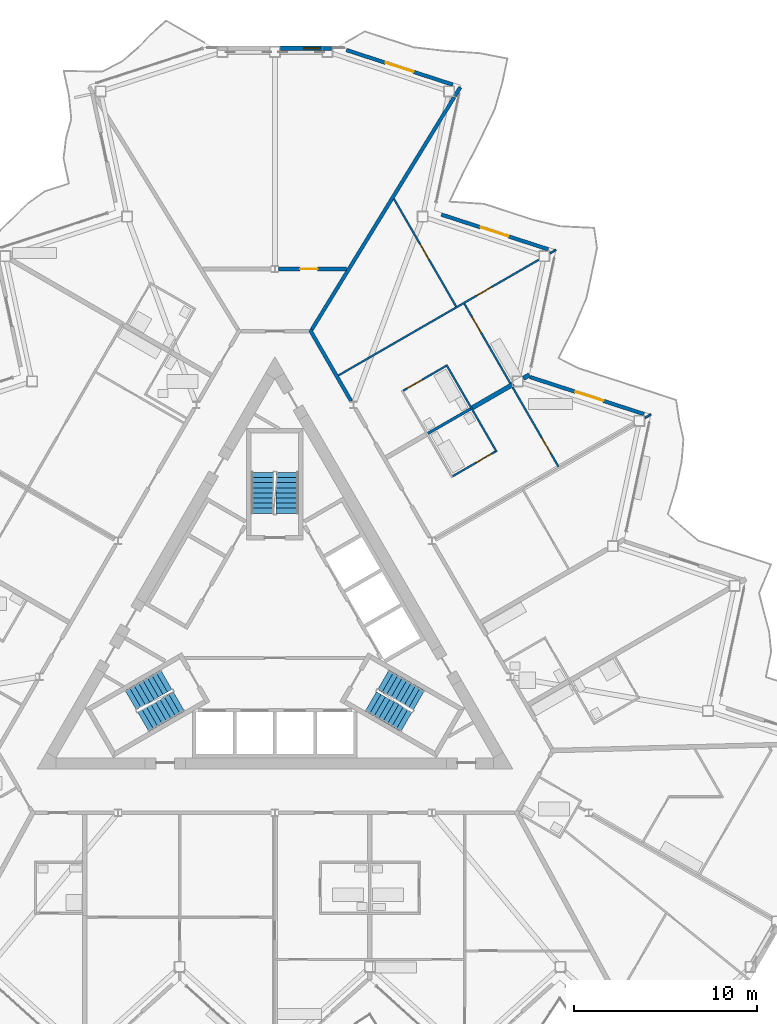
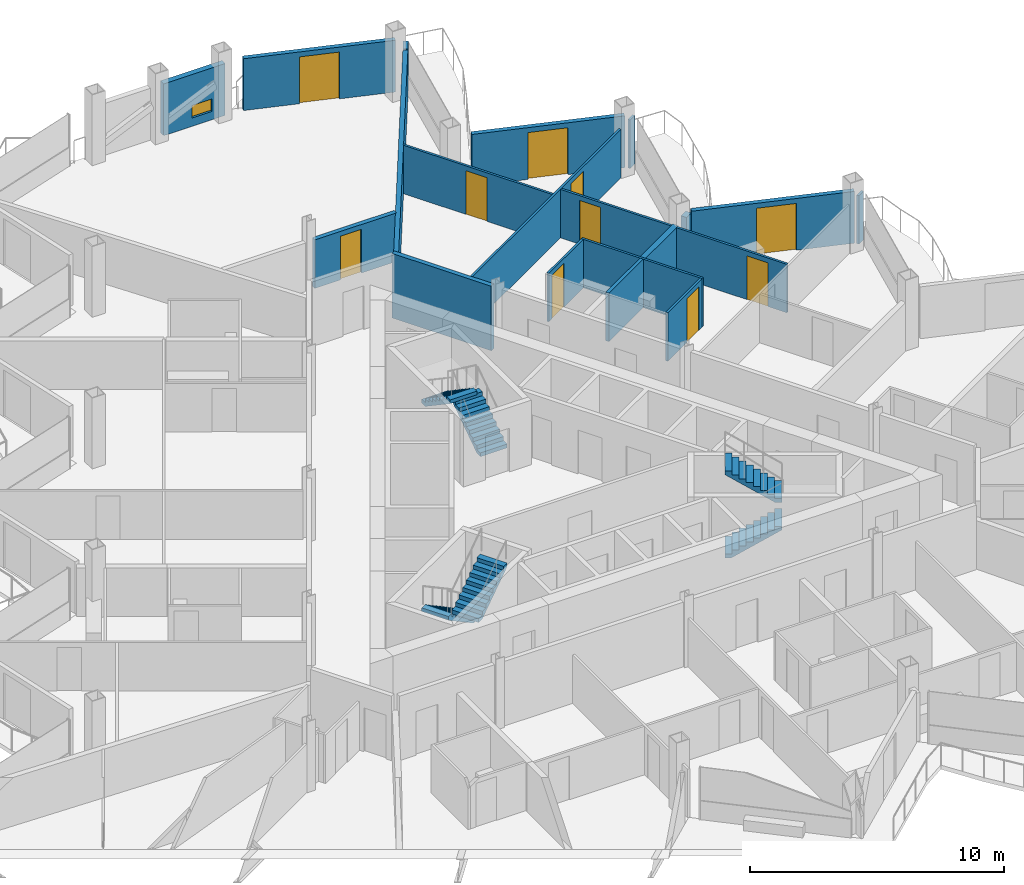
# One storey, part 19 of 28: 20 walls, 10 doors, 6 stair flights, 1 window, 11 openings, 3 elements without a shape of their own.
"""IFC4 building model written with IfcOpenShell, lengths in metres."""

from ifc_helpers import new_model, si_unit, direction, frame, frame_2d, origin, place, context, subcontext, project, spatial, polyline, rectangle, outline, extrude, material, layer, layer_set, type_object, element, fill, aggregate, save


model = new_model("IFC4")

# Units and contexts
model_context = context("Model", 3, precision=1e-05, world=origin(), true_north=direction((0.0, 1.0)))
body_context = subcontext(model_context, "Body", "Model", "MODEL_VIEW")
ifc_project = project(units=[si_unit("LENGTHUNIT", "METRE"), si_unit("AREAUNIT", "SQUARE_METRE"), si_unit("VOLUMEUNIT", "CUBIC_METRE"), si_unit("PLANEANGLEUNIT", "RADIAN"), si_unit("MASSUNIT", "GRAM", prefix="KILO")], contexts=[model_context])

# Site, building, storey
site_placement = place(None, origin())
site = spatial("IfcSite", under=ifc_project, at=site_placement, CompositionType="ELEMENT")
building_placement = place(site_placement, origin())
building = spatial("IfcBuilding", under=site, at=building_placement, Name="Cormorant Prow Tower", CompositionType="ELEMENT")
storey_placement = place(building_placement, frame((0.0, 0.0, 308.60009765625)))
storey = spatial("IfcBuildingStorey", under=building, at=storey_placement, Name="L67", CompositionType="ELEMENT", Elevation=308.60009765625)

# Walls
ifc_material_1 = material(Name="Gypsum board corridor wall")
ifc_layer_1 = layer(ifc_material_1, 0.199951171875)
ifc_layer_set_1 = layer_set([ifc_layer_1], Name="Gypsum board corridor wall")
wall_type_1 = type_object("IfcWallType", Name="Corridor wall 200", PredefinedType="PARTITIONING", material=ifc_layer_set_1)
wall_1_placement = place(storey_placement, frame((1.9130859375, 16.497802734375, 0.0), z_axis=(0.0, 0.0, 1.0), x_axis=(0.499950370306, -0.866054055606, 0.0)))
element("IfcWall", 1, at=wall_1_placement, inside=storey, type_object=wall_type_1, Name="Corridor wall", PredefinedType="PARTITIONING", context=body_context, shape_type="SweptSolid", body=[
    extrude(rectangle(XDim=4.5126953125, YDim=0.199951171875, at=frame_2d((2.25634765625, 0.0))), origin(), (0.0, 0.0, 1.0), 3.099853515625),
])
ifc_material_2 = material(Name="Gypsum board demising wall")
ifc_layer_2 = layer(ifc_material_2, 0.199951171875)
ifc_layer_set_2 = layer_set([ifc_layer_2], Name="Gypsum board demising wall")
wall_type_2 = type_object("IfcWallType", Name="Demising wall 200", PredefinedType="PARTITIONING", material=ifc_layer_set_2)
wall_2_placement = place(storey_placement, frame((2.015380859375, 16.496337890625, 0.0), z_axis=(0.0, 0.0, 1.0), x_axis=(0.522487920222, 0.852646687217, 0.0)))
element("IfcWall", 2, at=wall_2_placement, inside=storey, type_object=wall_type_2, Name="Demising wall", PredefinedType="PARTITIONING", context=body_context, shape_type="SweptSolid", body=[
    extrude(rectangle(XDim=14.90380859375, YDim=0.199951171875, at=frame_2d((7.451904296875, 0.0))), origin(), (0.0, 0.0, 1.0), 2.330078125),
])

# Wall, opening, door
wall_3_placement = place(storey_placement, frame((0.207763671875, 19.81103515625, 0.0), z_axis=(0.0, 0.0, 1.0), x_axis=(1.0, 0.0, 0.0)))
wall_3 = element("IfcWall", 3, at=wall_3_placement, inside=storey, type_object=wall_type_2, Name="Demising wall", PredefinedType="PARTITIONING", context=body_context, shape_type="SweptSolid", body=[
    extrude(rectangle(XDim=3.71826171875, YDim=0.199951171875, at=frame_2d((1.859130859375, 0.0))), origin(), (0.0, 0.0, 1.0), 2.330078125),
])
opening_1_placement = place(wall_3_placement, frame((1.177978515625, 0.0, 0.0)))
opening_1 = element("IfcOpeningElement", 4, at=opening_1_placement, cuts=wall_3, Name="Opening L67-F37", PredefinedType="OPENING", context=body_context, shape_type="SweptSolid", body=[
    extrude(rectangle(XDim=0.949951171875, YDim=2.10009765625, at=frame_2d((0.47509765625, 1.050048828125))), frame((0.0, 0.10986328125, 0.0), z_axis=(0.0, -1.0, 0.0), x_axis=(1.0, 0.0, 0.0)), (0.0, 0.0, 1.0), 0.219970703125),
])
ifc_material_3 = material(Name="Timber door leaf", Category="wood")
door_type_1 = type_object("IfcDoorType", Name="Store door 950x2100", OperationType="NOTDEFINED", PredefinedType="DOOR", material=ifc_material_3)
door_1_placement = place(opening_1_placement, origin())
door_1 = element("IfcDoor", 5, at=door_1_placement, inside=storey, type_object=door_type_1, Name="Refuse room door", OperationType="SINGLE_SWING_RIGHT", OverallHeight=2.10009765625, OverallWidth=0.949951171875, PredefinedType="DOOR", context=body_context, shape_type="SweptSolid", body=[
    extrude(rectangle(XDim=0.949951171875, YDim=2.10009765625, at=frame_2d((0.47509765625, 1.050048828125))), frame((0.0, 0.02490234375, 0.0), z_axis=(0.0, -1.0, 0.0), x_axis=(1.0, 0.0, 0.0)), (0.0, 0.0, 1.0), 0.050048828125),
])
fill(opening_1, door_1)

# Wall
wall_4_placement = place(storey_placement, frame((9.83740234375, 29.261474609375, 0.0), z_axis=(0.0, 0.0, 1.0), x_axis=(0.5225115935, 0.852632180168, 0.0)))
element("IfcWall", 6, at=wall_4_placement, inside=storey, type_object=wall_type_2, Name="Demising wall", PredefinedType="PARTITIONING", context=body_context, shape_type="SweptSolid", body=[
    extrude(rectangle(XDim=0.567138671875, YDim=0.199951171875, at=frame_2d((0.28369140625, 0.0))), origin(), (0.0, 0.0, 1.0), 2.330078125),
])

# Wall, opening, door
ifc_material_4 = material(Name="Gypsum board partition")
ifc_layer_3 = layer(ifc_material_4, 0.10009765625)
ifc_layer_set_3 = layer_set([ifc_layer_3], Name="Gypsum board partition")
wall_type_3 = type_object("IfcWallType", Name="Internal partition 100", PredefinedType="PARTITIONING", material=ifc_layer_set_3)
wall_5_placement = place(storey_placement, frame((3.47412109375, 13.993896484375, 0.0), z_axis=(0.0, 0.0, 1.0), x_axis=(0.866032424046, 0.499987840353, 0.0)))
wall_5 = element("IfcWall", 7, at=wall_5_placement, inside=storey, type_object=wall_type_3, Name="Internal partition", PredefinedType="PARTITIONING", context=body_context, shape_type="SweptSolid", body=[
    extrude(rectangle(XDim=12.635009765625, YDim=0.10009765625, at=frame_2d((6.3173828125, 0.0))), origin(), (0.0, 0.0, 1.0), 2.330078125),
])
opening_2_placement = place(wall_5_placement, frame((8.71435546875, 0.0, 0.0)))
opening_2 = element("IfcOpeningElement", 8, at=opening_2_placement, cuts=wall_5, Name="Opening L67-F34", PredefinedType="OPENING", context=body_context, shape_type="SweptSolid", body=[
    extrude(rectangle(XDim=0.949951171875, YDim=2.10009765625, at=frame_2d((0.47509765625, 1.050048828125))), frame((0.0, 0.06005859375, 0.0), z_axis=(0.0, -1.0, 0.0), x_axis=(1.0, 0.0, 0.0)), (0.0, 0.0, 1.0), 0.1201171875),
])
ifc_material_5 = material(Name="Timber door leaf", Category="wood")
door_type_2 = type_object("IfcDoorType", Name="Bathroom door 950x2100", OperationType="NOTDEFINED", PredefinedType="DOOR", material=ifc_material_5)
door_2_placement = place(opening_2_placement, origin())
door_2 = element("IfcDoor", 9, at=door_2_placement, inside=storey, type_object=door_type_2, Name="Kitchen door", OperationType="SINGLE_SWING_LEFT", OverallHeight=2.10009765625, OverallWidth=0.949951171875, PredefinedType="DOOR", context=body_context, shape_type="SweptSolid", body=[
    extrude(rectangle(XDim=0.949951171875, YDim=2.10009765625, at=frame_2d((0.47509765625, 1.050048828125))), frame((0.0, 0.02490234375, 0.0), z_axis=(0.0, -1.0, 0.0), x_axis=(1.0, 0.0, 0.0)), (0.0, 0.0, 1.0), 0.050048828125),
])
fill(opening_2, door_2)

wall_6_placement = place(storey_placement, frame((6.5029296875, 23.651611328125, 0.0), z_axis=(0.0, 0.0, 1.0), x_axis=(0.50002393615, -0.866011583801, 0.0)))
wall_6 = element("IfcWall", 10, at=wall_6_placement, inside=storey, type_object=wall_type_3, Name="Internal partition", PredefinedType="PARTITIONING", context=body_context, shape_type="SweptSolid", body=[
    extrude(rectangle(XDim=6.799560546875, YDim=0.10009765625, at=frame_2d((3.39990234375, 0.0))), origin(), (0.0, 0.0, 1.0), 2.330078125),
])
opening_3_placement = place(wall_6_placement, frame((2.874267578125, 0.0, 0.0)))
opening_3 = element("IfcOpeningElement", 11, at=opening_3_placement, cuts=wall_6, Name="Opening L67-F35", PredefinedType="OPENING", context=body_context, shape_type="SweptSolid", body=[
    extrude(rectangle(XDim=0.949951171875, YDim=2.10009765625, at=frame_2d((0.47509765625, 1.050048828125))), frame((0.0, 0.06005859375, 0.0), z_axis=(0.0, -1.0, 0.0), x_axis=(1.0, 0.0, 0.0)), (0.0, 0.0, 1.0), 0.1201171875),
])
door_3_placement = place(opening_3_placement, origin())
door_3 = element("IfcDoor", 12, at=door_3_placement, inside=storey, type_object=door_type_2, Name="Bedroom door", OperationType="SINGLE_SWING_RIGHT", OverallHeight=2.10009765625, OverallWidth=0.949951171875, PredefinedType="DOOR", context=body_context, shape_type="SweptSolid", body=[
    extrude(rectangle(XDim=0.949951171875, YDim=2.10009765625, at=frame_2d((0.47509765625, 1.050048828125))), frame((0.0, 0.02490234375, 0.0), z_axis=(0.0, -1.0, 0.0), x_axis=(1.0, 0.0, 0.0)), (0.0, 0.0, 1.0), 0.050048828125),
])
fill(opening_3, door_3)

# Wall
wall_7_placement = place(storey_placement, frame((9.37109375, 14.579833984375, 0.0), z_axis=(0.0, 0.0, 1.0), x_axis=(0.499996545922, -0.866027397988, 0.0)))
element("IfcWall", 13, at=wall_7_placement, inside=storey, type_object=wall_type_3, Name="Internal partition", PredefinedType="PARTITIONING", context=body_context, shape_type="SweptSolid", body=[
    extrude(rectangle(XDim=5.5, YDim=0.10009765625, at=frame_2d((2.75, 0.0))), origin(), (0.0, 0.0, 1.0), 2.330078125),
])

# Wall, opening, door
wall_8_placement = place(storey_placement, frame((10.35693359375, 17.909912109375, 0.0), z_axis=(0.0, 0.0, 1.0), x_axis=(0.50000754391, -0.866021048262, 0.0)))
wall_8 = element("IfcWall", 14, at=wall_8_placement, inside=storey, type_object=wall_type_3, Name="Internal partition", PredefinedType="PARTITIONING", context=body_context, shape_type="SweptSolid", body=[
    extrude(rectangle(XDim=5.01611328125, YDim=0.10009765625, at=frame_2d((2.508056640625, 0.0))), origin(), (0.0, 0.0, 1.0), 2.330078125),
])
opening_4_placement = place(wall_8_placement, frame((0.861328125, 0.0, 0.0)))
opening_4 = element("IfcOpeningElement", 15, at=opening_4_placement, cuts=wall_8, Name="Opening L67-F33", PredefinedType="OPENING", context=body_context, shape_type="SweptSolid", body=[
    extrude(rectangle(XDim=0.949951171875, YDim=2.10009765625, at=frame_2d((0.47509765625, 1.050048828125))), frame((0.0, 0.06005859375, 0.0), z_axis=(0.0, -1.0, 0.0), x_axis=(1.0, 0.0, 0.0)), (0.0, 0.0, 1.0), 0.1201171875),
])
door_4_placement = place(opening_4_placement, origin())
door_4 = element("IfcDoor", 16, at=door_4_placement, inside=storey, type_object=door_type_2, Name="Living room door", OperationType="SINGLE_SWING_LEFT", OverallHeight=2.10009765625, OverallWidth=0.949951171875, PredefinedType="DOOR", context=body_context, shape_type="SweptSolid", body=[
    extrude(rectangle(XDim=0.949951171875, YDim=2.10009765625, at=frame_2d((0.47509765625, 1.050048828125))), frame((0.0, 0.02490234375, 0.0), z_axis=(0.0, -1.0, 0.0), x_axis=(1.0, 0.0, 0.0)), (0.0, 0.0, 1.0), 0.050048828125),
])
fill(opening_4, door_4)

wall_9_placement = place(storey_placement, frame((12.986083984375, 13.35595703125, 0.0), z_axis=(0.0, 0.0, 1.0), x_axis=(0.500007128048, -0.866021288365, 0.0)))
wall_9 = element("IfcWall", 17, at=wall_9_placement, inside=storey, type_object=wall_type_3, Name="Internal partition", PredefinedType="PARTITIONING", context=body_context, shape_type="SweptSolid", body=[
    extrude(rectangle(XDim=5.0234375, YDim=0.10009765625, at=frame_2d((2.51171875, 0.0))), origin(), (0.0, 0.0, 1.0), 2.330078125),
])
opening_5_placement = place(wall_9_placement, frame((3.2109375, 0.0, 0.0)))
opening_5 = element("IfcOpeningElement", 18, at=opening_5_placement, cuts=wall_9, Name="Opening L67-F28", PredefinedType="OPENING", context=body_context, shape_type="SweptSolid", body=[
    extrude(rectangle(XDim=0.949951171875, YDim=2.10009765625, at=frame_2d((0.47509765625, 1.050048828125))), frame((0.0, 0.06005859375, 0.0), z_axis=(0.0, -1.0, 0.0), x_axis=(1.0, 0.0, 0.0)), (0.0, 0.0, 1.0), 0.1201171875),
])
door_5_placement = place(opening_5_placement, origin())
door_5 = element("IfcDoor", 19, at=door_5_placement, inside=storey, type_object=door_type_2, Name="Living room door", OperationType="SINGLE_SWING_RIGHT", OverallHeight=2.10009765625, OverallWidth=0.949951171875, PredefinedType="DOOR", context=body_context, shape_type="SweptSolid", body=[
    extrude(rectangle(XDim=0.949951171875, YDim=2.10009765625, at=frame_2d((0.47509765625, 1.050048828125))), frame((0.0, 0.02490234375, 0.0), z_axis=(0.0, -1.0, 0.0), x_axis=(1.0, 0.0, 0.0)), (0.0, 0.0, 1.0), 0.050048828125),
])
fill(opening_5, door_5)

wall_10_placement = place(storey_placement, frame((7.0146484375, 13.16162109375, 0.0), z_axis=(0.0, 0.0, 1.0), x_axis=(0.866036505625, 0.499980770555, 0.0)))
wall_10 = element("IfcWall", 20, at=wall_10_placement, inside=storey, type_object=wall_type_3, Name="Internal partition", PredefinedType="PARTITIONING", context=body_context, shape_type="SweptSolid", body=[
    extrude(rectangle(XDim=2.69970703125, YDim=0.10009765625, at=frame_2d((1.349853515625, 0.0))), origin(), (0.0, 0.0, 1.0), 2.330078125),
])
opening_6_placement = place(wall_10_placement, frame((0.25, 0.0, 0.0)))
opening_6 = element("IfcOpeningElement", 21, at=opening_6_placement, cuts=wall_10, Name="Opening L67-F32", PredefinedType="OPENING", context=body_context, shape_type="SweptSolid", body=[
    extrude(rectangle(XDim=0.949951171875, YDim=2.10009765625, at=frame_2d((0.47509765625, 1.050048828125))), frame((0.0, 0.06005859375, 0.0), z_axis=(0.0, -1.0, 0.0), x_axis=(1.0, 0.0, 0.0)), (0.0, 0.0, 1.0), 0.1201171875),
])
door_6_placement = place(opening_6_placement, origin())
door_6 = element("IfcDoor", 22, at=door_6_placement, inside=storey, type_object=door_type_2, Name="Living room door", OperationType="SINGLE_SWING_LEFT", OverallHeight=2.10009765625, OverallWidth=0.949951171875, PredefinedType="DOOR", context=body_context, shape_type="SweptSolid", body=[
    extrude(rectangle(XDim=0.949951171875, YDim=2.10009765625, at=frame_2d((0.47509765625, 1.050048828125))), frame((0.0, 0.02490234375, 0.0), z_axis=(0.0, -1.0, 0.0), x_axis=(1.0, 0.0, 0.0)), (0.0, 0.0, 1.0), 0.050048828125),
])
fill(opening_6, door_6)

wall_11_placement = place(storey_placement, frame((9.714599609375, 8.485107421875, 0.0), z_axis=(0.0, 0.0, 1.0), x_axis=(0.866036505625, 0.499980770555, 0.0)))
wall_11 = element("IfcWall", 23, at=wall_11_placement, inside=storey, type_object=wall_type_3, Name="Internal partition", PredefinedType="PARTITIONING", context=body_context, shape_type="SweptSolid", body=[
    extrude(rectangle(XDim=2.69970703125, YDim=0.10009765625, at=frame_2d((1.349853515625, 0.0))), origin(), (0.0, 0.0, 1.0), 2.330078125),
])
opening_7_placement = place(wall_11_placement, frame((1.5, 0.0, 0.0)))
opening_7 = element("IfcOpeningElement", 24, at=opening_7_placement, cuts=wall_11, Name="Opening L67-F27", PredefinedType="OPENING", context=body_context, shape_type="SweptSolid", body=[
    extrude(rectangle(XDim=0.949951171875, YDim=2.10009765625, at=frame_2d((0.47509765625, 1.050048828125))), frame((0.0, 0.06005859375, 0.0), z_axis=(0.0, -1.0, 0.0), x_axis=(1.0, 0.0, 0.0)), (0.0, 0.0, 1.0), 0.1201171875),
])
door_7_placement = place(opening_7_placement, origin())
door_7 = element("IfcDoor", 25, at=door_7_placement, inside=storey, type_object=door_type_2, Name="Living room door", OperationType="SINGLE_SWING_RIGHT", OverallHeight=2.10009765625, OverallWidth=0.949951171875, PredefinedType="DOOR", context=body_context, shape_type="SweptSolid", body=[
    extrude(rectangle(XDim=0.949951171875, YDim=2.10009765625, at=frame_2d((0.47509765625, 1.050048828125))), frame((0.0, 0.02490234375, 0.0), z_axis=(0.0, -1.0, 0.0), x_axis=(1.0, 0.0, 0.0)), (0.0, 0.0, 1.0), 0.050048828125),
])
fill(opening_7, door_7)

# Walls
wall_12_placement = place(storey_placement, frame((15.03662109375, 20.669189453125, 0.0), z_axis=(0.0, 0.0, 1.0), x_axis=(0.865770353626, 0.500441499861, 0.0)))
element("IfcWall", 26, at=wall_12_placement, inside=storey, type_object=wall_type_3, Name="Internal partition", PredefinedType="PARTITIONING", context=body_context, shape_type="SweptSolid", body=[
    extrude(rectangle(XDim=0.372314453125, YDim=0.10009765625, at=frame_2d((0.18603515625, 0.0))), origin(), (0.0, 0.0, 1.0), 2.330078125),
])
wall_13_placement = place(storey_placement, frame((20.235595703125, 11.68310546875, 0.0), z_axis=(0.0, 0.0, 1.0), x_axis=(0.866039913117, 0.499974868256, 0.0)))
element("IfcWall", 27, at=wall_13_placement, inside=storey, type_object=wall_type_3, Name="Internal partition", PredefinedType="PARTITIONING", context=body_context, shape_type="SweptSolid", body=[
    extrude(rectangle(XDim=0.36279296875, YDim=0.10009765625, at=frame_2d((0.181396484375, 0.0))), origin(), (0.0, 0.0, 1.0), 2.330078125),
])
ifc_material_6 = material(Name="Acoustic gypsum party wall")
ifc_layer_4 = layer(ifc_material_6, 0.25)
ifc_layer_set_4 = layer_set([ifc_layer_4], Name="Acoustic gypsum party wall")
wall_type_4 = type_object("IfcWallType", Name="Suite party wall 250", PredefinedType="PARTITIONING", material=ifc_layer_set_4)
wall_14_placement = place(storey_placement, frame((10.789306640625, 12.223388671875, 0.0), z_axis=(0.0, 0.0, 1.0), x_axis=(0.866033547976, 0.499985893582, 0.0)))
element("IfcWall", 28, at=wall_14_placement, inside=storey, type_object=wall_type_4, Name="Suite party wall", PredefinedType="PARTITIONING", context=body_context, shape_type="SweptSolid", body=[
    extrude(rectangle(XDim=2.59375, YDim=0.25, at=frame_2d((1.296875, 0.0))), origin(), (0.0, 0.0, 1.0), 2.330078125),
])
wall_15_placement = place(storey_placement, frame((13.58203125, 13.83544921875, 0.0), z_axis=(0.0, 0.0, 1.0), x_axis=(0.865827443207, 0.500342721131, 0.0)))
element("IfcWall", 29, at=wall_15_placement, inside=storey, type_object=wall_type_4, Name="Suite party wall", PredefinedType="PARTITIONING", context=body_context, shape_type="SweptSolid", body=[
    extrude(rectangle(XDim=0.374755859375, YDim=0.25, at=frame_2d((0.1875, 0.0))), origin(), (0.0, 0.0, 1.0), 2.330078125),
])

# Wall, opening, window
ifc_material_7 = material(Name="Terracotta", Category="masonry")
ifc_layer_5 = layer(ifc_material_7, 0.25)
ifc_layer_set_5 = layer_set([ifc_layer_5], Name="Terracotta")
wall_type_5 = type_object("IfcWallType", Name="Terracotta bay wall 250", PredefinedType="SOLIDWALL", material=ifc_layer_set_5)
wall_16_placement = place(storey_placement, frame((3.0908203125, 31.8798828125, 0.0), z_axis=(0.0, 0.0, 1.0), x_axis=(-1.0, 0.0, 0.0)))
wall_16 = element("IfcWall", 30, at=wall_16_placement, inside=storey, type_object=wall_type_5, Name="Terracotta bay wall N00", PredefinedType="SOLIDWALL", context=body_context, shape_type="SweptSolid", body=[
    extrude(rectangle(XDim=2.790771484375, YDim=0.25, at=frame_2d((1.3955078125, 0.0))), origin(), (0.0, 0.0, 1.0), 2.48779296875),
])
opening_8_placement = place(wall_16_placement, frame((0.60009765625, 0.0, 0.39990234375)))
opening_8 = element("IfcOpeningElement", 31, at=opening_8_placement, cuts=wall_16, Name="Opening WN7", PredefinedType="OPENING", context=body_context, shape_type="SweptSolid", body=[
    extrude(rectangle(XDim=0.89990234375, YDim=0.60009765625, at=frame_2d((0.449951171875, 0.300048828125))), frame((0.0, 0.135009765625, 0.0), z_axis=(0.0, -1.0, 0.0), x_axis=(1.0, 0.0, 0.0)), (0.0, 0.0, 1.0), 0.27001953125),
])
ifc_material_8 = material(Name="Aluminium 6063-T6", Category="aluminium")
window_type = type_object("IfcWindowType", Name="Corner bay window 900x600", PartitioningType="SINGLE_PANEL", PredefinedType="WINDOW", material=ifc_material_8)
window_placement = place(opening_8_placement, origin())
window = element("IfcWindow", 32, at=window_placement, inside=storey, type_object=window_type, Name="Corner bay window N00", OverallHeight=0.60009765625, OverallWidth=0.89990234375, PartitioningType="SINGLE_PANEL", PredefinedType="WINDOW", context=body_context, shape_type="SweptSolid", body=[
    extrude(rectangle(XDim=0.89990234375, YDim=0.60009765625, at=frame_2d((0.449951171875, 0.300048828125))), frame((0.0, 0.030029296875, 0.0), z_axis=(0.0, -1.0, 0.0), x_axis=(1.0, 0.0, 0.0)), (0.0, 0.0, 1.0), 0.06005859375),
])
fill(opening_8, window)

# Wall, opening, door
ifc_material_9 = material(Name="Terracotta", Category="masonry")
ifc_layer_6 = layer(ifc_material_9, 0.199951171875)
ifc_layer_set_6 = layer_set([ifc_layer_6], Name="Terracotta")
wall_type_6 = type_object("IfcWallType", Name="Terracotta jamb wall 200", PredefinedType="SOLIDWALL", material=ifc_layer_set_6)
wall_17_placement = place(storey_placement, frame((20.177978515625, 11.880126953125, 0.0), z_axis=(0.0, 0.0, 1.0), x_axis=(-0.951053245104, 0.309027061884, 0.0)))
wall_17 = element("IfcWall", 33, at=wall_17_placement, inside=storey, type_object=wall_type_6, Name="Terracotta jamb wall ENE05", PredefinedType="SOLIDWALL", context=body_context, shape_type="SweptSolid", body=[
    extrude(rectangle(XDim=6.548583984375, YDim=0.199951171875, at=frame_2d((3.2744140625, 0.0))), origin(), (0.0, 0.0, 1.0), 2.48779296875),
])
opening_9_placement = place(wall_17_placement, frame((2.333984375, 0.0, 0.0)))
opening_9 = element("IfcOpeningElement", 34, at=opening_9_placement, cuts=wall_17, Name="Opening ED67.08", PredefinedType="OPENING", context=body_context, shape_type="SweptSolid", body=[
    extrude(rectangle(XDim=1.60009765625, YDim=2.25, at=frame_2d((0.800048828125, 1.125))), frame((0.0, 0.10986328125, 0.0), z_axis=(0.0, -1.0, 0.0), x_axis=(1.0, 0.0, 0.0)), (0.0, 0.0, 1.0), 0.219970703125),
])
ifc_material_10 = material(Name="Aluminium 6063-T6", Category="aluminium")
door_type_3 = type_object("IfcDoorType", Name="Balcony door 1600x2250", OperationType="DOUBLE_DOOR_SINGLE_SWING", PredefinedType="DOOR", material=ifc_material_10)
door_8_placement = place(opening_9_placement, origin())
door_8 = element("IfcDoor", 35, at=door_8_placement, inside=storey, type_object=door_type_3, Name="Balcony door ENE05 ED67.08", OperationType="DOUBLE_DOOR_SINGLE_SWING", OverallHeight=2.25, OverallWidth=1.60009765625, PredefinedType="DOOR", context=body_context, shape_type="SweptSolid", body=[
    extrude(rectangle(XDim=1.60009765625, YDim=2.25, at=frame_2d((0.800048828125, 1.125))), frame((0.0, 0.02490234375, 0.0), z_axis=(0.0, -1.0, 0.0), x_axis=(1.0, 0.0, 0.0)), (0.0, 0.0, 1.0), 0.050048828125),
])
fill(opening_9, door_8)

wall_18_placement = place(storey_placement, frame((14.943603515625, 20.88525390625, 0.0), z_axis=(0.0, 0.0, 1.0), x_axis=(-0.951062668065, 0.308998060534, 0.0)))
wall_18 = element("IfcWall", 36, at=wall_18_placement, inside=storey, type_object=wall_type_6, Name="Terracotta jamb wall ENE07", PredefinedType="SOLIDWALL", context=body_context, shape_type="SweptSolid", body=[
    extrude(rectangle(XDim=6.14697265625, YDim=0.199951171875, at=frame_2d((3.073486328125, 0.0))), origin(), (0.0, 0.0, 1.0), 2.48779296875),
])
opening_10_placement = place(wall_18_placement, frame((2.288330078125, 0.0, 0.0)))
opening_10 = element("IfcOpeningElement", 37, at=opening_10_placement, cuts=wall_18, Name="Opening ED67.09", PredefinedType="OPENING", context=body_context, shape_type="SweptSolid", body=[
    extrude(rectangle(XDim=1.60009765625, YDim=2.25, at=frame_2d((0.800048828125, 1.125))), frame((0.0, 0.10986328125, 0.0), z_axis=(0.0, -1.0, 0.0), x_axis=(1.0, 0.0, 0.0)), (0.0, 0.0, 1.0), 0.219970703125),
])
door_9_placement = place(opening_10_placement, origin())
door_9 = element("IfcDoor", 38, at=door_9_placement, inside=storey, type_object=door_type_3, Name="Balcony door ENE07 ED67.09", OperationType="DOUBLE_DOOR_SINGLE_SWING", OverallHeight=2.25, OverallWidth=1.60009765625, PredefinedType="DOOR", context=body_context, shape_type="SweptSolid", body=[
    extrude(rectangle(XDim=1.60009765625, YDim=2.25, at=frame_2d((0.800048828125, 1.125))), frame((0.0, 0.02490234375, 0.0), z_axis=(0.0, -1.0, 0.0), x_axis=(1.0, 0.0, 0.0)), (0.0, 0.0, 1.0), 0.050048828125),
])
fill(opening_10, door_9)

wall_19_placement = place(storey_placement, frame((9.724365234375, 29.885498046875, 0.0), z_axis=(0.0, 0.0, 1.0), x_axis=(-0.951066325824, 0.30898680212, 0.0)))
wall_19 = element("IfcWall", 39, at=wall_19_placement, inside=storey, type_object=wall_type_6, Name="Terracotta jamb wall ENE09", PredefinedType="SOLIDWALL", context=body_context, shape_type="SweptSolid", body=[
    extrude(rectangle(XDim=6.1171875, YDim=0.199951171875, at=frame_2d((3.05859375, 0.0))), origin(), (0.0, 0.0, 1.0), 2.48779296875),
])
opening_11_placement = place(wall_19_placement, frame((2.258544921875, 0.0, 0.0)))
opening_11 = element("IfcOpeningElement", 40, at=opening_11_placement, cuts=wall_19, Name="Opening ED67.10", PredefinedType="OPENING", context=body_context, shape_type="SweptSolid", body=[
    extrude(rectangle(XDim=1.60009765625, YDim=2.25, at=frame_2d((0.800048828125, 1.125))), frame((0.0, 0.10986328125, 0.0), z_axis=(0.0, -1.0, 0.0), x_axis=(1.0, 0.0, 0.0)), (0.0, 0.0, 1.0), 0.219970703125),
])
door_10_placement = place(opening_11_placement, origin())
door_10 = element("IfcDoor", 41, at=door_10_placement, inside=storey, type_object=door_type_3, Name="Balcony door ENE09 ED67.10", OperationType="DOUBLE_DOOR_SINGLE_SWING", OverallHeight=2.25, OverallWidth=1.60009765625, PredefinedType="DOOR", context=body_context, shape_type="SweptSolid", body=[
    extrude(rectangle(XDim=1.60009765625, YDim=2.25, at=frame_2d((0.800048828125, 1.125))), frame((0.0, 0.02490234375, 0.0), z_axis=(0.0, -1.0, 0.0), x_axis=(1.0, 0.0, 0.0)), (0.0, 0.0, 1.0), 0.050048828125),
])
fill(opening_11, door_10)

# Wall
ifc_material_11 = material(Name="Plasterboard wet wall with pipe chase")
ifc_layer_7 = layer(ifc_material_11, 0.14990234375)
ifc_layer_set_7 = layer_set([ifc_layer_7], Name="Plasterboard wet wall with pipe chase")
wall_type_7 = type_object("IfcWallType", Name="Wet wall 150", PredefinedType="PLUMBINGWALL", material=ifc_layer_set_7)
wall_20_placement = place(storey_placement, frame((8.364501953125, 10.8232421875, 0.0), z_axis=(0.0, 0.0, 1.0), x_axis=(0.866019956843, 0.50000943426, 0.0)))
element("IfcWall", 42, at=wall_20_placement, inside=storey, type_object=wall_type_7, Name="Wet wall", PredefinedType="PLUMBINGWALL", context=body_context, shape_type="SweptSolid", body=[
    extrude(rectangle(XDim=2.7001953125, YDim=0.14990234375, at=frame_2d((1.35009765625, 0.0))), origin(), (0.0, 0.0, 1.0), 2.330078125),
])

# Stair, stair flights
ifc_material_12 = material(Name="Exit stair 18 risers")
stair_type = type_object("IfcStairType", Name="Exit stair 18 risers", PredefinedType="HALF_TURN_STAIR", material=ifc_material_12)
stair_1_placement = place(storey_placement, origin())
stair_1 = element("IfcStair", 43, at=stair_1_placement, inside=storey, type_object=stair_type, Name="L67 Exit stair ST1", PredefinedType="HALF_TURN_STAIR")
ifc_material_13 = material(Name="Concrete 5000 psi", Category="concrete")
stair_flight_type = type_object("IfcStairFlightType", Name="Stair flight 1219", PredefinedType="STRAIGHT", material=ifc_material_13)
stair_flight_1_placement = place(storey_placement, frame((-5.93310546875, -2.635009765625, 0.0), z_axis=(0.0, 0.0, 1.0), x_axis=(-0.866025403784, -0.5, 0.0)))
stair_flight_1 = element("IfcStairFlight", 44, at=stair_flight_1_placement, type_object=stair_flight_type, Name="ST1 flight 1", NumberOfRisers=9, NumberOfTreads=8, PredefinedType="STRAIGHT", RiserHeight=0.188888889, TreadLength=0.28, context=body_context, shape_type="SweptSolid", body=[
    extrude(outline(polyline([(0.0, 0.0), (0.0, 0.18896484375), (0.280029296875, 0.18896484375), (0.280029296875, 0.377685546875), (0.56005859375, 0.377685546875), (0.56005859375, 0.566650390625), (0.840087890625, 0.566650390625), (0.840087890625, 0.755615234375), (1.1201171875, 0.755615234375), (1.1201171875, 0.9443359375), (1.39990234375, 0.9443359375), (1.39990234375, 1.13330078125), (1.679931640625, 1.13330078125), (1.679931640625, 1.322265625), (1.9599609375, 1.322265625), (1.9599609375, 1.51123046875), (2.239990234375, 1.51123046875), (2.239990234375, 1.699951171875), (2.239990234375, 1.330322265625), (0.26806640625, 0.0), (0.0, 0.0)])), frame((0.0, 0.609375, 0.0), z_axis=(0.0, -1.0, 0.0), x_axis=(1.0, 0.0, 0.0)), (0.0, 0.0, 1.0), 1.218994140625),
])
stair_flight_2_placement = place(storey_placement, frame((-7.1884765625, -4.940673828125, 1.699951171875), z_axis=(0.0, 0.0, 1.0), x_axis=(0.866025403784, 0.5, 0.0)))
stair_flight_2 = element("IfcStairFlight", 45, at=stair_flight_2_placement, type_object=stair_flight_type, Name="ST1 flight 2", NumberOfRisers=9, NumberOfTreads=8, PredefinedType="STRAIGHT", RiserHeight=0.188888889, TreadLength=0.28, context=body_context, shape_type="SweptSolid", body=[
    extrude(outline(polyline([(0.0, 0.0), (0.0, 0.18896484375), (0.280029296875, 0.18896484375), (0.280029296875, 0.377685546875), (0.56005859375, 0.377685546875), (0.56005859375, 0.566650390625), (0.840087890625, 0.566650390625), (0.840087890625, 0.755615234375), (1.1201171875, 0.755615234375), (1.1201171875, 0.9443359375), (1.39990234375, 0.9443359375), (1.39990234375, 1.13330078125), (1.679931640625, 1.13330078125), (1.679931640625, 1.322265625), (1.9599609375, 1.322265625), (1.9599609375, 1.51123046875), (2.239990234375, 1.51123046875), (2.239990234375, 1.699951171875), (2.239990234375, 1.330322265625), (0.26806640625, 0.0), (0.0, 0.0)])), frame((0.0, 0.609375, 0.0), z_axis=(0.0, -1.0, 0.0), x_axis=(1.0, 0.0, 0.0)), (0.0, 0.0, 1.0), 1.218994140625),
])
aggregate(stair_1, [stair_flight_1, stair_flight_2])

stair_2_placement = place(storey_placement, origin())
stair_2 = element("IfcStair", 46, at=stair_2_placement, inside=storey, type_object=stair_type, Name="L67 Exit stair ST2", PredefinedType="HALF_TURN_STAIR")
stair_flight_3_placement = place(storey_placement, frame((5.24853515625, -3.82080078125, 0.0), z_axis=(0.0, 0.0, 1.0), x_axis=(0.866025403784, -0.5, 0.0)))
stair_flight_3 = element("IfcStairFlight", 47, at=stair_flight_3_placement, type_object=stair_flight_type, Name="ST2 flight 1", NumberOfRisers=9, NumberOfTreads=8, PredefinedType="STRAIGHT", RiserHeight=0.188888889, TreadLength=0.28, context=body_context, shape_type="SweptSolid", body=[
    extrude(outline(polyline([(0.0, 0.0), (0.0, 0.18896484375), (0.280029296875, 0.18896484375), (0.280029296875, 0.377685546875), (0.56005859375, 0.377685546875), (0.56005859375, 0.566650390625), (0.840087890625, 0.566650390625), (0.840087890625, 0.755615234375), (1.1201171875, 0.755615234375), (1.1201171875, 0.9443359375), (1.39990234375, 0.9443359375), (1.39990234375, 1.13330078125), (1.679931640625, 1.13330078125), (1.679931640625, 1.322265625), (1.9599609375, 1.322265625), (1.9599609375, 1.51123046875), (2.239990234375, 1.51123046875), (2.239990234375, 1.699951171875), (2.239990234375, 1.330322265625), (0.26806640625, 0.0), (0.0, 0.0)])), frame((0.0, 0.609375, 0.0), z_axis=(0.0, -1.0, 0.0), x_axis=(1.0, 0.0, 0.0)), (0.0, 0.0, 1.0), 1.218994140625),
])
stair_flight_4_placement = place(storey_placement, frame((7.873046875, -3.755126953125, 1.699951171875), z_axis=(0.0, 0.0, 1.0), x_axis=(-0.866025403784, 0.5, 0.0)))
stair_flight_4 = element("IfcStairFlight", 48, at=stair_flight_4_placement, type_object=stair_flight_type, Name="ST2 flight 2", NumberOfRisers=9, NumberOfTreads=8, PredefinedType="STRAIGHT", RiserHeight=0.188888889, TreadLength=0.28, context=body_context, shape_type="SweptSolid", body=[
    extrude(outline(polyline([(0.0, 0.0), (0.0, 0.18896484375), (0.280029296875, 0.18896484375), (0.280029296875, 0.377685546875), (0.56005859375, 0.377685546875), (0.56005859375, 0.566650390625), (0.840087890625, 0.566650390625), (0.840087890625, 0.755615234375), (1.1201171875, 0.755615234375), (1.1201171875, 0.9443359375), (1.39990234375, 0.9443359375), (1.39990234375, 1.13330078125), (1.679931640625, 1.13330078125), (1.679931640625, 1.322265625), (1.9599609375, 1.322265625), (1.9599609375, 1.51123046875), (2.239990234375, 1.51123046875), (2.239990234375, 1.699951171875), (2.239990234375, 1.330322265625), (0.26806640625, 0.0), (0.0, 0.0)])), frame((0.0, 0.609375, 0.0), z_axis=(0.0, -1.0, 0.0), x_axis=(1.0, 0.0, 0.0)), (0.0, 0.0, 1.0), 1.218994140625),
])
aggregate(stair_2, [stair_flight_3, stair_flight_4])

stair_3_placement = place(storey_placement, origin())
stair_3 = element("IfcStair", 49, at=stair_3_placement, inside=storey, type_object=stair_type, Name="L67 Exit stair ST3", PredefinedType="HALF_TURN_STAIR")
stair_flight_5_placement = place(storey_placement, frame((0.6845703125, 6.455810546875, 0.0), z_axis=(0.0, 0.0, 1.0), x_axis=(0.0, 1.0, 0.0)))
stair_flight_5 = element("IfcStairFlight", 50, at=stair_flight_5_placement, type_object=stair_flight_type, Name="ST3 flight 1", NumberOfRisers=9, NumberOfTreads=8, PredefinedType="STRAIGHT", RiserHeight=0.188888889, TreadLength=0.28, context=body_context, shape_type="SweptSolid", body=[
    extrude(outline(polyline([(0.0, 0.0), (0.0, 0.18896484375), (0.280029296875, 0.18896484375), (0.280029296875, 0.377685546875), (0.56005859375, 0.377685546875), (0.56005859375, 0.566650390625), (0.840087890625, 0.566650390625), (0.840087890625, 0.755615234375), (1.1201171875, 0.755615234375), (1.1201171875, 0.9443359375), (1.39990234375, 0.9443359375), (1.39990234375, 1.13330078125), (1.679931640625, 1.13330078125), (1.679931640625, 1.322265625), (1.9599609375, 1.322265625), (1.9599609375, 1.51123046875), (2.239990234375, 1.51123046875), (2.239990234375, 1.699951171875), (2.239990234375, 1.330322265625), (0.26806640625, 0.0), (0.0, 0.0)])), frame((0.0, 0.609375, 0.0), z_axis=(0.0, -1.0, 0.0), x_axis=(1.0, 0.0, 0.0)), (0.0, 0.0, 1.0), 1.218994140625),
])
stair_flight_6_placement = place(storey_placement, frame((-0.6845703125, 8.69580078125, 1.699951171875), z_axis=(0.0, 0.0, 1.0), x_axis=(0.0, -1.0, 0.0)))
stair_flight_6 = element("IfcStairFlight", 51, at=stair_flight_6_placement, type_object=stair_flight_type, Name="ST3 flight 2", NumberOfRisers=9, NumberOfTreads=8, PredefinedType="STRAIGHT", RiserHeight=0.188888889, TreadLength=0.28, context=body_context, shape_type="SweptSolid", body=[
    extrude(outline(polyline([(0.0, 0.0), (0.0, 0.18896484375), (0.280029296875, 0.18896484375), (0.280029296875, 0.377685546875), (0.56005859375, 0.377685546875), (0.56005859375, 0.566650390625), (0.840087890625, 0.566650390625), (0.840087890625, 0.755615234375), (1.1201171875, 0.755615234375), (1.1201171875, 0.9443359375), (1.39990234375, 0.9443359375), (1.39990234375, 1.13330078125), (1.679931640625, 1.13330078125), (1.679931640625, 1.322265625), (1.9599609375, 1.322265625), (1.9599609375, 1.51123046875), (2.239990234375, 1.51123046875), (2.239990234375, 1.699951171875), (2.239990234375, 1.330322265625), (0.26806640625, 0.0), (0.0, 0.0)])), frame((0.0, 0.609375, 0.0), z_axis=(0.0, -1.0, 0.0), x_axis=(1.0, 0.0, 0.0)), (0.0, 0.0, 1.0), 1.218994140625),
])
aggregate(stair_3, [stair_flight_5, stair_flight_6])

save(model, "model.ifc")
